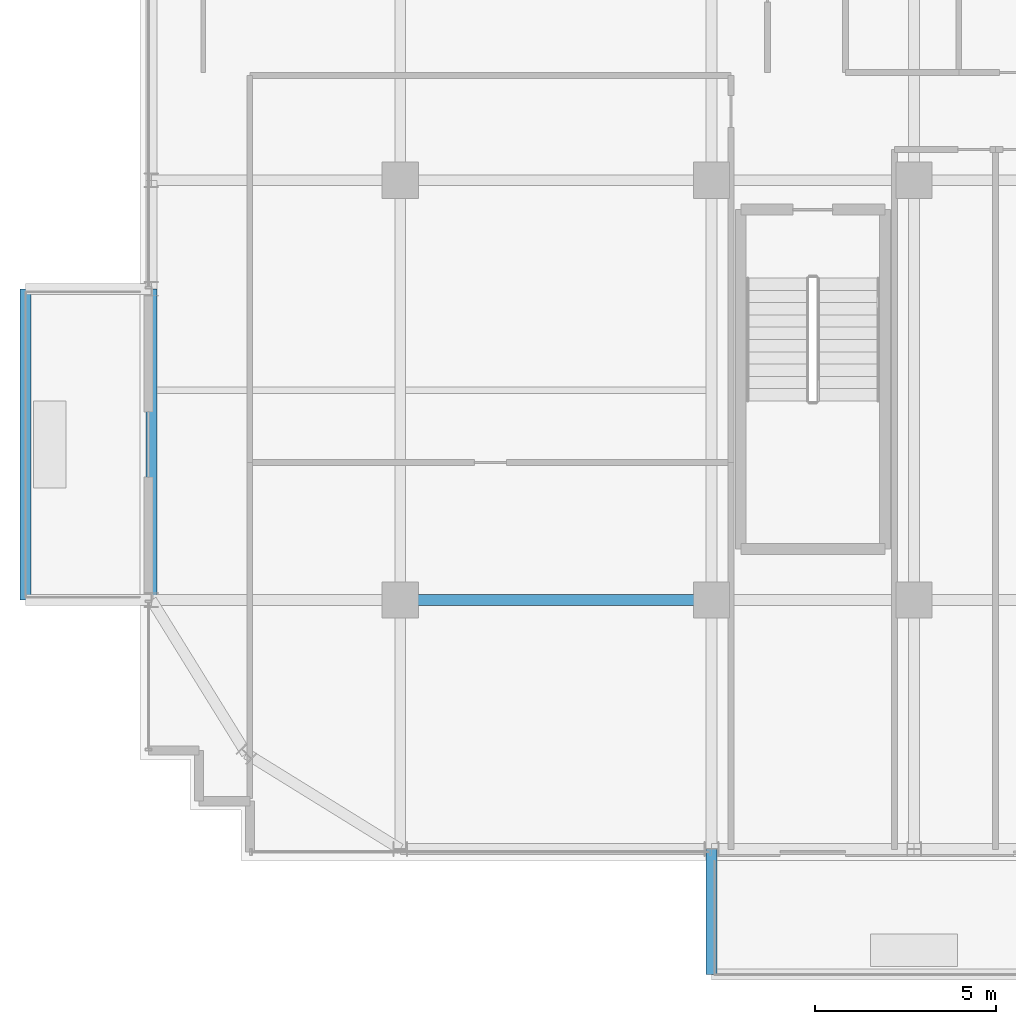
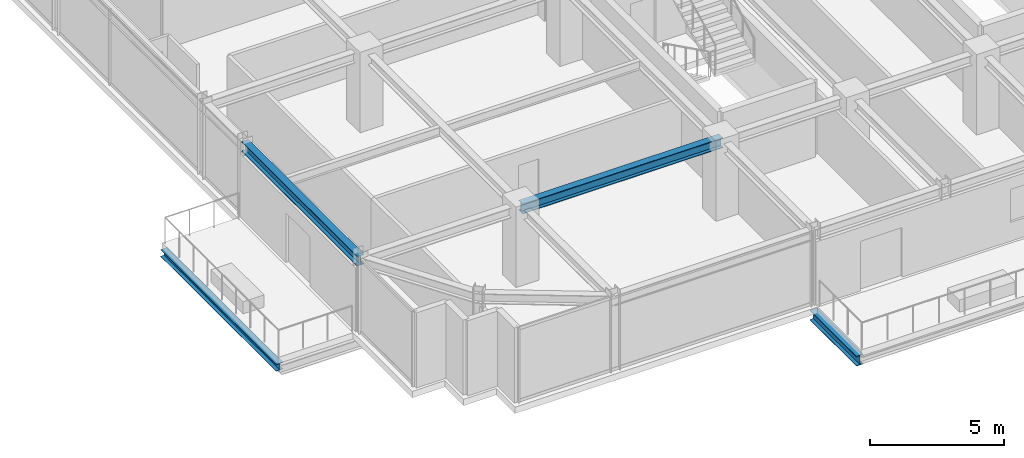
# One storey, part 5 of 32: 4 beams.
"""IFC4 building model written with IfcOpenShell, lengths in metres."""

from ifc_helpers import new_model, si_unit, direction, frame, origin, origin_2d, place, context, subcontext, project, spatial, i_section, extrude, source, transform, mapped, material, material_profile, profile_set, type_object, element, save


model = new_model("IFC4")

# Units and contexts
model_context = context("Model", 3, precision=1e-05, world=origin(), true_north=direction((0.0, 1.0)))
body_context = subcontext(model_context, "Body", "Model", "MODEL_VIEW")
ifc_project = project(units=[si_unit("LENGTHUNIT", "METRE"), si_unit("AREAUNIT", "SQUARE_METRE"), si_unit("VOLUMEUNIT", "CUBIC_METRE"), si_unit("PLANEANGLEUNIT", "RADIAN"), si_unit("MASSUNIT", "GRAM", prefix="KILO")], contexts=[model_context])

# Site, building, storey
site_placement = place(None, origin())
site = spatial("IfcSite", under=ifc_project, at=site_placement, CompositionType="ELEMENT")
building_placement = place(site_placement, origin())
building = spatial("IfcBuilding", under=site, at=building_placement, Name="Nahalor Promenade Grand Hotel", CompositionType="ELEMENT")
storey_placement = place(building_placement, frame((0.0, 0.0, 230.800048828125)))
storey = spatial("IfcBuildingStorey", under=building, at=storey_placement, Name="L59", CompositionType="ELEMENT", Elevation=230.800048828125)

# Beams
ifc_material = material(Name="Steel S355JR", Category="steel")
ifc_material_profile_1 = material_profile(ifc_material, i_section(OverallWidth=0.3, OverallDepth=0.32, WebThickness=0.0115, FlangeThickness=0.0205, at=origin_2d()), Name="HEB 320")
ifc_profile_set_1 = profile_set([ifc_material_profile_1], Name="Steel S355JR")
beam_type_1 = type_object("IfcBeamType", Name="Beam-BalcEdge-HEB320", PredefinedType="SPANDREL", material=ifc_profile_set_1)
shared_shape_1 = source(origin(), body_context, "Body", "SweptSolid", [
    extrude(i_section(OverallWidth=0.3, OverallDepth=0.32, WebThickness=0.0115, FlangeThickness=0.0205, at=origin_2d()), origin(), (0.0, 0.0, 1.0), 8.60009765625),
])
beam_1_placement = place(storey_placement, frame((-27.360107421875, -17.0, -0.43994140625), z_axis=(0.0, 1.0, 0.0), x_axis=(-1.0, 0.0, 0.0)))
element("IfcBeam", 1, at=beam_1_placement, inside=storey, type_object=beam_type_1, Name="BM-L59-BC-02-F", PredefinedType="SPANDREL", context=body_context, shape_type="MappedRepresentation", body=[
    mapped(shared_shape_1, transform((0.0, 0.0, 0.0), scale=1.0)),
])
ifc_material_profile_2 = material_profile(ifc_material, i_section(OverallWidth=0.3, OverallDepth=0.45, WebThickness=0.014, FlangeThickness=0.026, at=origin_2d()), Name="HEB 450")
ifc_profile_set_2 = profile_set([ifc_material_profile_2], Name="Steel S355JR")
beam_type_2 = type_object("IfcBeamType", Name="Beam-Outrigger-HEB450", PredefinedType="BEAM", material=ifc_profile_set_2)
shared_shape_2 = source(origin(), body_context, "Body", "SweptSolid", [
    extrude(i_section(OverallWidth=0.3, OverallDepth=0.45, WebThickness=0.014, FlangeThickness=0.026, at=origin_2d()), origin(), (0.0, 0.0, 1.0), 3.47021484375),
])
beam_2_placement = place(storey_placement, frame((-8.39990234375, -27.35009765625, -0.505126953125), z_axis=(0.0, 1.0, 0.0), x_axis=(-1.0, 0.0, 0.0)))
element("IfcBeam", 2, at=beam_2_placement, inside=storey, type_object=beam_type_2, Name="BM-L59-BC-01-1", PredefinedType="BEAM", context=body_context, shape_type="MappedRepresentation", body=[
    mapped(shared_shape_2, transform((0.0, 0.0, 0.0), scale=1.0)),
])
ifc_material_profile_3 = material_profile(ifc_material, i_section(OverallWidth=0.3, OverallDepth=0.45, WebThickness=0.014, FlangeThickness=0.026, at=origin_2d()), Name="HEB 450")
ifc_profile_set_3 = profile_set([ifc_material_profile_3], Name="Steel S355JR")
beam_type_3 = type_object("IfcBeamType", Name="Beam-Spandrel-HEB450", PredefinedType="SPANDREL", material=ifc_profile_set_3)
shared_shape_3 = source(origin(), body_context, "Body", "SweptSolid", [
    extrude(i_section(OverallWidth=0.3, OverallDepth=0.45, WebThickness=0.014, FlangeThickness=0.026, at=origin_2d()), origin(), (0.0, 0.0, 1.0), 8.60009765625),
])
beam_3_placement = place(storey_placement, frame((-23.8798828125, -17.0, 3.18505859375), z_axis=(0.0, 1.0, 0.0), x_axis=(-1.0, 0.0, 0.0)))
element("IfcBeam", 3, at=beam_3_placement, inside=storey, type_object=beam_type_3, Name="BM-L59-SP-W-0", PredefinedType="SPANDREL", context=body_context, shape_type="MappedRepresentation", body=[
    mapped(shared_shape_3, transform((0.0, 0.0, 0.0), scale=1.0)),
])
ifc_material_profile_4 = material_profile(ifc_material, i_section(OverallWidth=0.3, OverallDepth=0.45, WebThickness=0.014, FlangeThickness=0.026, at=origin_2d()), Name="HEB 450")
ifc_profile_set_4 = profile_set([ifc_material_profile_4], Name="Steel S355JR")
beam_type_4 = type_object("IfcBeamType", Name="Beam-Girder-HEB450", PredefinedType="BEAM", material=ifc_profile_set_4)
shared_shape_4 = source(origin(), body_context, "Body", "SweptSolid", [
    extrude(i_section(OverallWidth=0.3, OverallDepth=0.45, WebThickness=0.014, FlangeThickness=0.026, at=origin_2d()), origin(), (0.0, 0.0, 1.0), 8.60009765625),
])
beam_4_placement = place(storey_placement, frame((-17.0, -17.0, 3.18505859375), z_axis=(1.0, 0.0, 0.0), x_axis=(0.0, 1.0, 0.0)))
element("IfcBeam", 4, at=beam_4_placement, inside=storey, type_object=beam_type_4, Name="BM-L59-GX-0-1", PredefinedType="BEAM", context=body_context, shape_type="MappedRepresentation", body=[
    mapped(shared_shape_4, transform((0.0, 0.0, 0.0), scale=1.0)),
])

save(model, "model.ifc")
